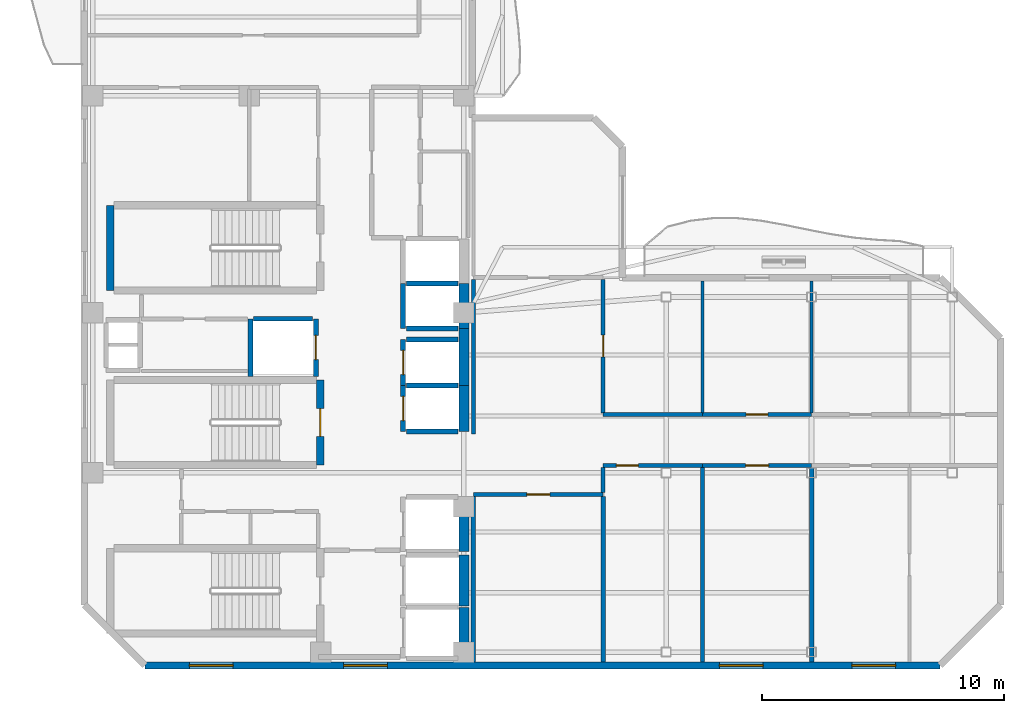
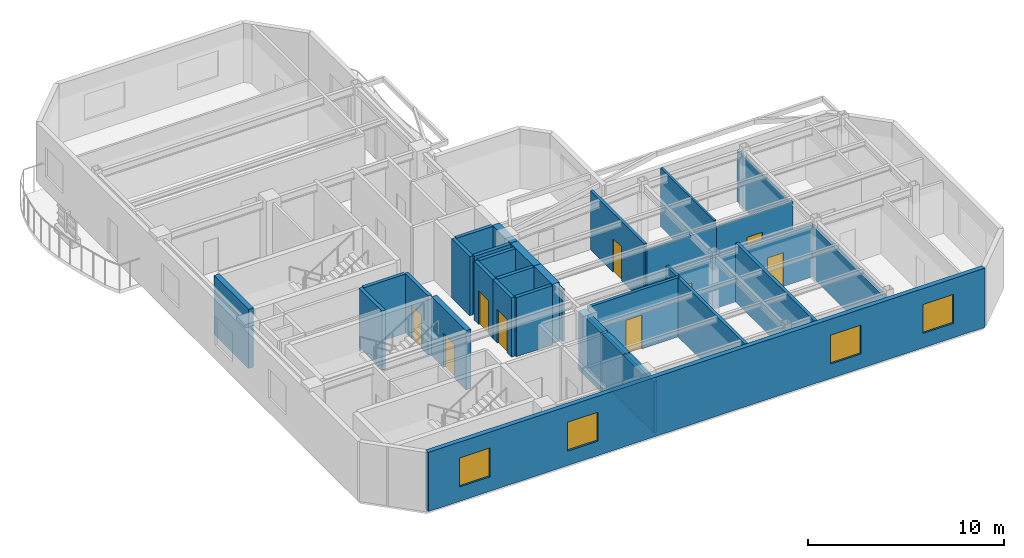
# One storey, part 3 of 8: 34 walls, 9 doors, 4 windows, 13 openings.
"""IFC4 building model written with IfcOpenShell, lengths in metres."""

from ifc_helpers import new_model, si_unit, direction, frame, frame_2d, origin, place, context, subcontext, project, spatial, rectangle, extrude, material, layer, layer_set, type_object, element, fill, save


model = new_model("IFC4")

# Units and contexts
model_context = context("Model", 3, precision=1e-05, world=origin(), true_north=direction((0.0, 1.0)))
body_context = subcontext(model_context, "Body", "Model", "MODEL_VIEW")
ifc_project = project(units=[si_unit("LENGTHUNIT", "METRE"), si_unit("AREAUNIT", "SQUARE_METRE"), si_unit("VOLUMEUNIT", "CUBIC_METRE"), si_unit("PLANEANGLEUNIT", "RADIAN"), si_unit("MASSUNIT", "GRAM", prefix="KILO")], contexts=[model_context])

# Site, building, storey
site_placement = place(None, origin())
site = spatial("IfcSite", under=ifc_project, at=site_placement, CompositionType="ELEMENT")
building_placement = place(site_placement, origin())
building = spatial("IfcBuilding", under=site, at=building_placement, Name="Mawjaban Terraces University", CompositionType="ELEMENT")
storey_placement = place(building_placement, frame((0.0, 0.0, 271.60009765625)))
storey = spatial("IfcBuildingStorey", under=building, at=storey_placement, Name="L66", CompositionType="ELEMENT", Elevation=271.60009765625)

# Wall, opening, door
ifc_material_1 = material(Name="Acoustic masonry blockwork", Category="masonry")
ifc_layer_1 = layer(ifc_material_1, 0.179931640625)
ifc_layer_set_1 = layer_set([ifc_layer_1], Name="Acoustic masonry blockwork")
wall_type_1 = type_object("IfcWallType", Name="AcousticStudioWall_180", PredefinedType="PARTITIONING", material=ifc_layer_set_1)
wall_1_placement = place(storey_placement, frame((38.050048828125, 7.050048828125, 0.0), z_axis=(0.0, 0.0, 1.0), x_axis=(1.0, 0.0, 0.0)))
wall_1 = element("IfcWall", 1, at=wall_1_placement, inside=storey, type_object=wall_type_1, Name="L66 Upper Research Hub Concourse Partition 15", PredefinedType="PARTITIONING", context=body_context, shape_type="SweptSolid", body=[
    extrude(rectangle(XDim=5.349853515625, YDim=0.179931640625, at=frame_2d((2.6748046875, 0.0))), origin(), (0.0, 0.0, 1.0), 3.68994140625),
])
opening_1_placement = place(wall_1_placement, frame((2.199951171875, 0.0, 0.0)))
opening_1 = element("IfcOpeningElement", 2, at=opening_1_placement, cuts=wall_1, Name="Opening ID-095", PredefinedType="OPENING", context=body_context, shape_type="SweptSolid", body=[
    extrude(rectangle(XDim=0.949951171875, YDim=2.10009765625, at=frame_2d((0.47509765625, 1.050048828125))), frame((0.0, 0.099853515625, 0.0), z_axis=(0.0, -1.0, 0.0), x_axis=(1.0, 0.0, 0.0)), (0.0, 0.0, 1.0), 0.199951171875),
])
ifc_material_2 = material(Name="Powder-coated steel frame and solid acoustic timber leaf", Category="steel")
door_type_1 = type_object("IfcDoorType", Name="StudioDoor_950x2100", OperationType="NOTDEFINED", PredefinedType="DOOR", material=ifc_material_2)
door_1_placement = place(opening_1_placement, origin())
door_1 = element("IfcDoor", 3, at=door_1_placement, inside=storey, type_object=door_type_1, Name="L66 Media Workshop 1 Door", OperationType="SINGLE_SWING_LEFT", OverallHeight=2.10009765625, OverallWidth=0.949951171875, PredefinedType="DOOR", context=body_context, shape_type="SweptSolid", body=[
    extrude(rectangle(XDim=0.949951171875, YDim=2.10009765625, at=frame_2d((0.47509765625, 1.050048828125))), frame((0.0, 0.02490234375, 0.0), z_axis=(0.0, -1.0, 0.0), x_axis=(1.0, 0.0, 0.0)), (0.0, 0.0, 1.0), 0.050048828125),
])
fill(opening_1, door_1)

wall_2_placement = place(storey_placement, frame((47.5, 8.25, 0.0), z_axis=(0.0, 0.0, 1.0), x_axis=(1.0, 0.0, 0.0)))
wall_2 = element("IfcWall", 4, at=wall_2_placement, inside=storey, type_object=wall_type_1, Name="L66 Upper East Research Corridor Partition 18", PredefinedType="PARTITIONING", context=body_context, shape_type="SweptSolid", body=[
    extrude(rectangle(XDim=4.5, YDim=0.179931640625, at=frame_2d((2.25, 0.0))), origin(), (0.0, 0.0, 1.0), 3.220947265625),
])
opening_2_placement = place(wall_2_placement, frame((1.77490234375, 0.0, 0.0)))
opening_2 = element("IfcOpeningElement", 5, at=opening_2_placement, cuts=wall_2, Name="Opening ID-095", PredefinedType="OPENING", context=body_context, shape_type="SweptSolid", body=[
    extrude(rectangle(XDim=0.949951171875, YDim=2.10009765625, at=frame_2d((0.47509765625, 1.050048828125))), frame((0.0, 0.099853515625, 0.0), z_axis=(0.0, -1.0, 0.0), x_axis=(1.0, 0.0, 0.0)), (0.0, 0.0, 1.0), 0.199951171875),
])
door_2_placement = place(opening_2_placement, origin())
door_2 = element("IfcDoor", 6, at=door_2_placement, inside=storey, type_object=door_type_1, Name="L66 Media Workshop 4 Door", OperationType="SINGLE_SWING_RIGHT", OverallHeight=2.10009765625, OverallWidth=0.949951171875, PredefinedType="DOOR", context=body_context, shape_type="SweptSolid", body=[
    extrude(rectangle(XDim=0.949951171875, YDim=2.10009765625, at=frame_2d((0.47509765625, 1.050048828125))), frame((0.0, 0.02490234375, 0.0), z_axis=(0.0, -1.0, 0.0), x_axis=(1.0, 0.0, 0.0)), (0.0, 0.0, 1.0), 0.050048828125),
])
fill(opening_2, door_2)

# Walls
wall_3_placement = place(storey_placement, frame((38.050048828125, 6.965087890625, 0.0), z_axis=(0.0, 0.0, 1.0), x_axis=(0.0, -1.0, 0.0)))
element("IfcWall", 7, at=wall_3_placement, inside=storey, type_object=wall_type_1, Name="L66 Media Workshop 1 Partition 38", PredefinedType="PARTITIONING", context=body_context, shape_type="SweptSolid", body=[
    extrude(rectangle(XDim=6.83203125, YDim=0.179931640625, at=frame_2d((3.416015625, 0.0))), origin(), (0.0, 0.0, 1.0), 3.220947265625),
])
wall_4_placement = place(storey_placement, frame((43.39990234375, 0.133056640625, 0.0), z_axis=(0.0, 0.0, 1.0), x_axis=(0.0, 1.0, 0.0)))
element("IfcWall", 8, at=wall_4_placement, inside=storey, type_object=wall_type_1, Name="L66 Media Workshop 1 Partition 41", PredefinedType="PARTITIONING", context=body_context, shape_type="SweptSolid", body=[
    extrude(rectangle(XDim=6.83203125, YDim=0.179931640625, at=frame_2d((3.416015625, 0.0))), origin(), (0.0, 0.0, 1.0), 3.68994140625),
])
wall_5_placement = place(storey_placement, frame((47.5, 0.133056640625, 0.0), z_axis=(0.0, 0.0, 1.0), x_axis=(0.0, 1.0, 0.0)))
element("IfcWall", 9, at=wall_5_placement, inside=storey, type_object=wall_type_1, Name="L66 Quiet Reading Room 2 Partition 44", PredefinedType="PARTITIONING", context=body_context, shape_type="SweptSolid", body=[
    extrude(rectangle(XDim=8.031982421875, YDim=0.179931640625, at=frame_2d((4.01611328125, 0.0))), origin(), (0.0, 0.0, 1.0), 3.68994140625),
])
wall_6_placement = place(storey_placement, frame((52.0, 0.133056640625, 0.0), z_axis=(0.0, 0.0, 1.0), x_axis=(0.0, 1.0, 0.0)))
element("IfcWall", 10, at=wall_6_placement, inside=storey, type_object=wall_type_1, Name="L66 Media Workshop 4 Partition 46", PredefinedType="PARTITIONING", context=body_context, shape_type="SweptSolid", body=[
    extrude(rectangle(XDim=8.031982421875, YDim=0.179931640625, at=frame_2d((4.01611328125, 0.0))), origin(), (0.0, 0.0, 1.0), 3.220947265625),
])
ifc_material_3 = material(Name="Concrete C50/60", Category="concrete")
ifc_layer_2 = layer(ifc_material_3, 0.419921875)
ifc_layer_set_2 = layer_set([ifc_layer_2], Name="Concrete C50/60")
wall_type_2 = type_object("IfcWallType", Name="CoreShearWall_420", PredefinedType="SHEAR", material=ifc_layer_set_2)
wall_7_placement = place(storey_placement, frame((37.659912109375, 0.300048828125, 0.0), z_axis=(0.0, 0.0, 1.0), x_axis=(0.0, 1.0, 0.0)))
element("IfcWall", 11, at=wall_7_placement, inside=storey, type_object=wall_type_2, Name="L66 Lift FL-1 Hoistway Wall East", PredefinedType="SHEAR", context=body_context, shape_type="SweptSolid", body=[
    extrude(rectangle(XDim=2.099853515625, YDim=0.419921875, at=frame_2d((1.0498046875, 0.0))), origin(), (0.0, 0.0, 1.0), 3.68994140625),
])
wall_8_placement = place(storey_placement, frame((37.659912109375, 2.449951171875, 0.0), z_axis=(0.0, 0.0, 1.0), x_axis=(0.0, 1.0, 0.0)))
element("IfcWall", 12, at=wall_8_placement, inside=storey, type_object=wall_type_2, Name="L66 Lift FL-2 Hoistway Wall East", PredefinedType="SHEAR", context=body_context, shape_type="SweptSolid", body=[
    extrude(rectangle(XDim=2.10009765625, YDim=0.419921875, at=frame_2d((1.050048828125, 0.0))), origin(), (0.0, 0.0, 1.0), 3.68994140625),
])
wall_9_placement = place(storey_placement, frame((37.659912109375, 4.699951171875, 0.0), z_axis=(0.0, 0.0, 1.0), x_axis=(0.0, 1.0, 0.0)))
element("IfcWall", 13, at=wall_9_placement, inside=storey, type_object=wall_type_2, Name="L66 Lift SL-1 Hoistway Wall East", PredefinedType="SHEAR", context=body_context, shape_type="SweptSolid", body=[
    extrude(rectangle(XDim=2.25, YDim=0.419921875, at=frame_2d((1.125, 0.0))), origin(), (0.0, 0.0, 1.0), 3.68994140625),
])
wall_10_placement = place(storey_placement, frame((37.659912109375, 9.64990234375, 0.0), z_axis=(0.0, 0.0, 1.0), x_axis=(0.0, 1.0, 0.0)))
element("IfcWall", 14, at=wall_10_placement, inside=storey, type_object=wall_type_2, Name="L66 Lift PL-H1 Hoistway Wall East", PredefinedType="SHEAR", context=body_context, shape_type="SweptSolid", body=[
    extrude(rectangle(XDim=1.900146484375, YDim=0.419921875, at=frame_2d((0.9501953125, 0.0))), origin(), (0.0, 0.0, 1.0), 3.68994140625),
])
wall_11_placement = place(storey_placement, frame((37.659912109375, 11.550048828125, 0.0), z_axis=(0.0, 0.0, 1.0), x_axis=(0.0, 1.0, 0.0)))
element("IfcWall", 15, at=wall_11_placement, inside=storey, type_object=wall_type_2, Name="L66 Lift PL-H2 Hoistway Wall East", PredefinedType="SHEAR", context=body_context, shape_type="SweptSolid", body=[
    extrude(rectangle(XDim=2.349853515625, YDim=0.419921875, at=frame_2d((1.1748046875, 0.0))), origin(), (0.0, 0.0, 1.0), 3.68994140625),
])
wall_12_placement = place(storey_placement, frame((37.659912109375, 13.89990234375, 0.0), z_axis=(0.0, 0.0, 1.0), x_axis=(0.0, 1.0, 0.0)))
element("IfcWall", 16, at=wall_12_placement, inside=storey, type_object=wall_type_2, Name="L66 Lift OL-1 Hoistway Wall East", PredefinedType="SHEAR", context=body_context, shape_type="SweptSolid", body=[
    extrude(rectangle(XDim=1.85009765625, YDim=0.419921875, at=frame_2d((0.925048828125, 0.0))), origin(), (0.0, 0.0, 1.0), 3.68994140625),
])

# Wall, opening, door
ifc_material_4 = material(Name="Fire-rated gypsum board on steel stud", Category="steel")
ifc_layer_3 = layer(ifc_material_4, 0.159912109375)
ifc_layer_set_3 = layer_set([ifc_layer_3], Name="Fire-rated gypsum board on steel stud")
wall_type_3 = type_object("IfcWallType", Name="CorridorPartition_160", PredefinedType="PARTITIONING", material=ifc_layer_set_3)
wall_13_placement = place(storey_placement, frame((43.39990234375, 8.25, 0.0), z_axis=(0.0, 0.0, 1.0), x_axis=(1.0, 0.0, 0.0)))
wall_13 = element("IfcWall", 17, at=wall_13_placement, inside=storey, type_object=wall_type_3, Name="L66 Upper East Research Corridor Partition 16", PredefinedType="PARTITIONING", context=body_context, shape_type="SweptSolid", body=[
    extrude(rectangle(XDim=4.10009765625, YDim=0.159912109375, at=frame_2d((2.050048828125, 0.0))), origin(), (0.0, 0.0, 1.0), 3.220947265625),
])
opening_3_placement = place(wall_13_placement, frame((0.550048828125, 0.0, 0.0)))
opening_3 = element("IfcOpeningElement", 18, at=opening_3_placement, cuts=wall_13, Name="Opening ID-090", PredefinedType="OPENING", context=body_context, shape_type="SweptSolid", body=[
    extrude(rectangle(XDim=0.89990234375, YDim=2.10009765625, at=frame_2d((0.449951171875, 1.050048828125))), frame((0.0, 0.08984375, 0.0), z_axis=(0.0, -1.0, 0.0), x_axis=(1.0, 0.0, 0.0)), (0.0, 0.0, 1.0), 0.179931640625),
])
door_type_2 = type_object("IfcDoorType", Name="OfficeDoor_900x2100", OperationType="NOTDEFINED", PredefinedType="DOOR", material=ifc_material_2)
door_3_placement = place(opening_3_placement, origin())
door_3 = element("IfcDoor", 19, at=door_3_placement, inside=storey, type_object=door_type_2, Name="L66 Quiet Reading Room 2 Door", OperationType="SINGLE_SWING_RIGHT", OverallHeight=2.10009765625, OverallWidth=0.89990234375, PredefinedType="DOOR", context=body_context, shape_type="SweptSolid", body=[
    extrude(rectangle(XDim=0.89990234375, YDim=2.10009765625, at=frame_2d((0.449951171875, 1.050048828125))), frame((0.0, 0.02490234375, 0.0), z_axis=(0.0, -1.0, 0.0), x_axis=(1.0, 0.0, 0.0)), (0.0, 0.0, 1.0), 0.050048828125),
])
fill(opening_3, door_3)

# Wall
wall_14_placement = place(storey_placement, frame((47.5, 10.35009765625, 0.0), z_axis=(0.0, 0.0, 1.0), x_axis=(-1.0, 0.0, 0.0)))
element("IfcWall", 20, at=wall_14_placement, inside=storey, type_object=wall_type_3, Name="L66 Upper East Research Corridor Partition 19", PredefinedType="PARTITIONING", context=body_context, shape_type="SweptSolid", body=[
    extrude(rectangle(XDim=4.10009765625, YDim=0.159912109375, at=frame_2d((2.050048828125, 0.0))), origin(), (0.0, 0.0, 1.0), 3.371826171875),
])

# Wall, opening, door
wall_15_placement = place(storey_placement, frame((52.0, 10.35009765625, 0.0), z_axis=(0.0, 0.0, 1.0), x_axis=(-1.0, 0.0, 0.0)))
wall_15 = element("IfcWall", 21, at=wall_15_placement, inside=storey, type_object=wall_type_3, Name="L66 Upper East Research Corridor Partition 21", PredefinedType="PARTITIONING", context=body_context, shape_type="SweptSolid", body=[
    extrude(rectangle(XDim=4.5, YDim=0.159912109375, at=frame_2d((2.25, 0.0))), origin(), (0.0, 0.0, 1.0), 3.371826171875),
])
opening_4_placement = place(wall_15_placement, frame((1.800048828125, 0.0, 0.0)))
opening_4 = element("IfcOpeningElement", 22, at=opening_4_placement, cuts=wall_15, Name="Opening ID-090", PredefinedType="OPENING", context=body_context, shape_type="SweptSolid", body=[
    extrude(rectangle(XDim=0.89990234375, YDim=2.10009765625, at=frame_2d((0.449951171875, 1.050048828125))), frame((0.0, 0.08984375, 0.0), z_axis=(0.0, -1.0, 0.0), x_axis=(1.0, 0.0, 0.0)), (0.0, 0.0, 1.0), 0.179931640625),
])
door_4_placement = place(opening_4_placement, origin())
door_4 = element("IfcDoor", 23, at=door_4_placement, inside=storey, type_object=door_type_2, Name="L66 Quiet Reading Room 5 Door", OperationType="SINGLE_SWING_LEFT", OverallHeight=2.10009765625, OverallWidth=0.89990234375, PredefinedType="DOOR", context=body_context, shape_type="SweptSolid", body=[
    extrude(rectangle(XDim=0.89990234375, YDim=2.10009765625, at=frame_2d((0.449951171875, 1.050048828125))), frame((0.0, 0.02490234375, 0.0), z_axis=(0.0, -1.0, 0.0), x_axis=(1.0, 0.0, 0.0)), (0.0, 0.0, 1.0), 0.050048828125),
])
fill(opening_4, door_4)

# Walls
wall_16_placement = place(storey_placement, frame((38.050048828125, 15.925048828125, 0.0), z_axis=(0.0, 0.0, 1.0), x_axis=(0.0, -1.0, 0.0)))
element("IfcWall", 24, at=wall_16_placement, inside=storey, type_object=wall_type_3, Name="L66 Upper Research Hub Concourse Partition 39", PredefinedType="PARTITIONING", context=body_context, shape_type="SweptSolid", body=[
    extrude(rectangle(XDim=6.375, YDim=0.159912109375, at=frame_2d((3.1875, 0.0))), origin(), (0.0, 0.0, 1.0), 3.220947265625),
])
wall_17_placement = place(storey_placement, frame((43.39990234375, 7.135009765625, 0.0), z_axis=(0.0, 0.0, 1.0), x_axis=(0.0, 1.0, 0.0)))
element("IfcWall", 25, at=wall_17_placement, inside=storey, type_object=wall_type_3, Name="L66 Upper Research Hub Concourse Partition 42", PredefinedType="PARTITIONING", context=body_context, shape_type="SweptSolid", body=[
    extrude(rectangle(XDim=1.0400390625, YDim=0.159912109375, at=frame_2d((0.52001953125, 0.0))), origin(), (0.0, 0.0, 1.0), 3.68994140625),
])

# Wall, opening, door
wall_18_placement = place(storey_placement, frame((43.39990234375, 10.425048828125, 0.0), z_axis=(0.0, 0.0, 1.0), x_axis=(0.0, 1.0, 0.0)))
wall_18 = element("IfcWall", 26, at=wall_18_placement, inside=storey, type_object=wall_type_3, Name="L66 Upper Research Hub Concourse Partition 43", PredefinedType="PARTITIONING", context=body_context, shape_type="SweptSolid", body=[
    extrude(rectangle(XDim=5.5, YDim=0.159912109375, at=frame_2d((2.75, 0.0))), origin(), (0.0, 0.0, 1.0), 3.68994140625),
])
opening_5_placement = place(wall_18_placement, frame((2.300048828125, 0.0, 0.0)))
opening_5 = element("IfcOpeningElement", 27, at=opening_5_placement, cuts=wall_18, Name="Opening ID-090", PredefinedType="OPENING", context=body_context, shape_type="SweptSolid", body=[
    extrude(rectangle(XDim=0.89990234375, YDim=2.10009765625, at=frame_2d((0.449951171875, 1.050048828125))), frame((0.0, 0.08984375, 0.0), z_axis=(0.0, -1.0, 0.0), x_axis=(1.0, 0.0, 0.0)), (0.0, 0.0, 1.0), 0.179931640625),
])
door_5_placement = place(opening_5_placement, origin())
door_5 = element("IfcDoor", 28, at=door_5_placement, inside=storey, type_object=door_type_2, Name="L66 Reading Salon 3 Door", OperationType="SINGLE_SWING_LEFT", OverallHeight=2.10009765625, OverallWidth=0.89990234375, PredefinedType="DOOR", context=body_context, shape_type="SweptSolid", body=[
    extrude(rectangle(XDim=0.89990234375, YDim=2.10009765625, at=frame_2d((0.449951171875, 1.050048828125))), frame((0.0, 0.02490234375, 0.0), z_axis=(0.0, -1.0, 0.0), x_axis=(1.0, 0.0, 0.0)), (0.0, 0.0, 1.0), 0.050048828125),
])
fill(opening_5, door_5)

# Wall, openings, windows
ifc_material_5 = material(Name="Insulated terracotta rainscreen on concrete backup C40/50", Category="masonry")
ifc_layer_4 = layer(ifc_material_5, 0.27490234375)
ifc_layer_set_4 = layer_set([ifc_layer_4], Name="Insulated terracotta rainscreen on concrete backup C40/50")
wall_type_4 = type_object("IfcWallType", Name="ExtTerracottaWall_275", PredefinedType="SOLIDWALL", material=ifc_layer_set_4)
wall_19_placement = place(storey_placement, frame((24.5, 0.0, 0.0), z_axis=(0.0, 0.0, 1.0), x_axis=(1.0, 0.0, 0.0)))
wall_19 = element("IfcWall", 29, at=wall_19_placement, inside=storey, type_object=wall_type_4, Name="L66 Exterior Terracotta Wall 1", PredefinedType="SOLIDWALL", context=body_context, shape_type="SweptSolid", body=[
    extrude(rectangle(XDim=32.800048828125, YDim=0.27490234375, at=frame_2d((16.39990234375, 0.0))), origin(), (0.0, 0.0, 1.0), 3.68994140625),
])
opening_6_placement = place(wall_19_placement, frame((1.8330078125, 0.0, 0.89990234375)))
opening_6 = element("IfcOpeningElement", 30, at=opening_6_placement, cuts=wall_19, Name="Opening W-07", PredefinedType="OPENING", context=body_context, shape_type="SweptSolid", body=[
    extrude(rectangle(XDim=1.800048828125, YDim=1.800048828125, at=frame_2d((0.89990234375, 0.89990234375))), frame((0.0, 0.1474609375, 0.0), z_axis=(0.0, -1.0, 0.0), x_axis=(1.0, 0.0, 0.0)), (0.0, 0.0, 1.0), 0.294921875),
])
opening_7_placement = place(wall_19_placement, frame((8.199951171875, 0.0, 0.89990234375)))
opening_7 = element("IfcOpeningElement", 31, at=opening_7_placement, cuts=wall_19, Name="Opening W-07", PredefinedType="OPENING", context=body_context, shape_type="SweptSolid", body=[
    extrude(rectangle(XDim=1.800048828125, YDim=1.800048828125, at=frame_2d((0.89990234375, 0.89990234375))), frame((0.0, 0.1474609375, 0.0), z_axis=(0.0, -1.0, 0.0), x_axis=(1.0, 0.0, 0.0)), (0.0, 0.0, 1.0), 0.294921875),
])
opening_8_placement = place(wall_19_placement, frame((23.699951171875, 0.0, 0.89990234375)))
opening_8 = element("IfcOpeningElement", 32, at=opening_8_placement, cuts=wall_19, Name="Opening W-07", PredefinedType="OPENING", context=body_context, shape_type="SweptSolid", body=[
    extrude(rectangle(XDim=1.800048828125, YDim=1.800048828125, at=frame_2d((0.89990234375, 0.89990234375))), frame((0.0, 0.1474609375, 0.0), z_axis=(0.0, -1.0, 0.0), x_axis=(1.0, 0.0, 0.0)), (0.0, 0.0, 1.0), 0.294921875),
])
opening_9_placement = place(wall_19_placement, frame((29.1669921875, 0.0, 0.89990234375)))
opening_9 = element("IfcOpeningElement", 33, at=opening_9_placement, cuts=wall_19, Name="Opening W-07", PredefinedType="OPENING", context=body_context, shape_type="SweptSolid", body=[
    extrude(rectangle(XDim=1.800048828125, YDim=1.800048828125, at=frame_2d((0.89990234375, 0.89990234375))), frame((0.0, 0.1474609375, 0.0), z_axis=(0.0, -1.0, 0.0), x_axis=(1.0, 0.0, 0.0)), (0.0, 0.0, 1.0), 0.294921875),
])
ifc_material_6 = material(Name="Low-E solar-control double glazing in thermally broken aluminium frame", Category="aluminium")
window_type = type_object("IfcWindowType", Name="Win_1800x1800", PartitioningType="SINGLE_PANEL", PredefinedType="WINDOW", material=ifc_material_6)
window_1_placement = place(opening_6_placement, origin())
window_1 = element("IfcWindow", 34, at=window_1_placement, inside=storey, type_object=window_type, Name="L66 Facade Window 1.1", OverallHeight=1.800048828125, OverallWidth=1.800048828125, PartitioningType="SINGLE_PANEL", PredefinedType="WINDOW", context=body_context, shape_type="SweptSolid", body=[
    extrude(rectangle(XDim=1.800048828125, YDim=1.800048828125, at=frame_2d((0.89990234375, 0.89990234375))), frame((0.0, 0.030029296875, 0.0), z_axis=(0.0, -1.0, 0.0), x_axis=(1.0, 0.0, 0.0)), (0.0, 0.0, 1.0), 0.06005859375),
])
fill(opening_6, window_1)
window_2_placement = place(opening_7_placement, origin())
window_2 = element("IfcWindow", 35, at=window_2_placement, inside=storey, type_object=window_type, Name="L66 Facade Window 1.2", OverallHeight=1.800048828125, OverallWidth=1.800048828125, PartitioningType="SINGLE_PANEL", PredefinedType="WINDOW", context=body_context, shape_type="SweptSolid", body=[
    extrude(rectangle(XDim=1.800048828125, YDim=1.800048828125, at=frame_2d((0.89990234375, 0.89990234375))), frame((0.0, 0.030029296875, 0.0), z_axis=(0.0, -1.0, 0.0), x_axis=(1.0, 0.0, 0.0)), (0.0, 0.0, 1.0), 0.06005859375),
])
fill(opening_7, window_2)
window_3_placement = place(opening_8_placement, origin())
window_3 = element("IfcWindow", 36, at=window_3_placement, inside=storey, type_object=window_type, Name="L66 Facade Window 1.5", OverallHeight=1.800048828125, OverallWidth=1.800048828125, PartitioningType="SINGLE_PANEL", PredefinedType="WINDOW", context=body_context, shape_type="SweptSolid", body=[
    extrude(rectangle(XDim=1.800048828125, YDim=1.800048828125, at=frame_2d((0.89990234375, 0.89990234375))), frame((0.0, 0.030029296875, 0.0), z_axis=(0.0, -1.0, 0.0), x_axis=(1.0, 0.0, 0.0)), (0.0, 0.0, 1.0), 0.06005859375),
])
fill(opening_8, window_3)
window_4_placement = place(opening_9_placement, origin())
window_4 = element("IfcWindow", 37, at=window_4_placement, inside=storey, type_object=window_type, Name="L66 Facade Window 1.6", OverallHeight=1.800048828125, OverallWidth=1.800048828125, PartitioningType="SINGLE_PANEL", PredefinedType="WINDOW", context=body_context, shape_type="SweptSolid", body=[
    extrude(rectangle(XDim=1.800048828125, YDim=1.800048828125, at=frame_2d((0.89990234375, 0.89990234375))), frame((0.0, 0.030029296875, 0.0), z_axis=(0.0, -1.0, 0.0), x_axis=(1.0, 0.0, 0.0)), (0.0, 0.0, 1.0), 0.06005859375),
])
fill(opening_9, window_4)

# Wall, opening, door
ifc_material_7 = material(Name="Concrete C40/50", Category="concrete")
ifc_layer_5 = layer(ifc_material_7, 0.199951171875)
ifc_layer_set_5 = layer_set([ifc_layer_5], Name="Concrete C40/50")
wall_type_5 = type_object("IfcWallType", Name="FireLobbyWall_200", PredefinedType="SOLIDWALL", material=ifc_layer_set_5)
wall_20_placement = place(storey_placement, frame((35.14990234375, 11.550048828125, 0.0), z_axis=(0.0, 0.0, 1.0), x_axis=(0.0, -1.0, 0.0)))
wall_20 = element("IfcWall", 38, at=wall_20_placement, inside=storey, type_object=wall_type_5, Name="L66 Lift PL-H1 Hoistway Wall West", PredefinedType="SOLIDWALL", context=body_context, shape_type="SweptSolid", body=[
    extrude(rectangle(XDim=1.900146484375, YDim=0.199951171875, at=frame_2d((0.9501953125, 0.0))), origin(), (0.0, 0.0, 1.0), 3.68994140625),
])
opening_10_placement = place(wall_20_placement, frame((0.449951171875, 0.0, 0.0)))
opening_10 = element("IfcOpeningElement", 39, at=opening_10_placement, cuts=wall_20, Name="Opening LD-PL-H1", PredefinedType="OPENING", context=body_context, shape_type="SweptSolid", body=[
    extrude(rectangle(XDim=1.0, YDim=2.10009765625, at=frame_2d((0.5, 1.050048828125))), frame((0.0, 0.10986328125, 0.0), z_axis=(0.0, -1.0, 0.0), x_axis=(1.0, 0.0, 0.0)), (0.0, 0.0, 1.0), 0.219970703125),
])
ifc_material_8 = material(Name="Powder-coated steel frame and fire-rated steel-faced leaf", Category="steel")
door_type_3 = type_object("IfcDoorType", Name="LiftLandingSliding_1000x2100", OperationType="NOTDEFINED", PredefinedType="DOOR", material=ifc_material_8)
door_6_placement = place(opening_10_placement, origin())
door_6 = element("IfcDoor", 40, at=door_6_placement, inside=storey, type_object=door_type_3, Name="L66 Lift PL-H1 Sliding Landing Door", OperationType="DOUBLE_DOOR_SLIDING", OverallHeight=2.10009765625, OverallWidth=1.0, PredefinedType="DOOR", context=body_context, shape_type="SweptSolid", body=[
    extrude(rectangle(XDim=1.0, YDim=2.10009765625, at=frame_2d((0.5, 1.050048828125))), frame((0.0, 0.02490234375, 0.0), z_axis=(0.0, -1.0, 0.0), x_axis=(1.0, 0.0, 0.0)), (0.0, 0.0, 1.0), 0.050048828125),
])
fill(opening_10, door_6)

# Walls
for number, where, z_axis, x_axis, name in (
    (41, (35.280029296875, 9.64990234375, 0.0), (0.0, 0.0, 1.0), (1.0, 0.0, 0.0), "L66 Lift PL-H1 Hoistway Wall South"),
    (42, (37.419921875, 11.550048828125, 0.0), (0.0, 0.0, 1.0), (-1.0, 0.0, 0.0), "L66 Lift PL-H1 Hoistway Wall North"),
):
    element("IfcWall", number, at=place(storey_placement, frame(where, z_axis=z_axis, x_axis=x_axis)), inside=storey, type_object=wall_type_5, Name=name, PredefinedType="SOLIDWALL", context=body_context, shape_type="SweptSolid", body=[
        extrude(rectangle(XDim=2.139892578125, YDim=0.199951171875, at=frame_2d((1.06982421875, 0.0))), origin(), (0.0, 0.0, 1.0), 3.68994140625),
    ])

# Wall, opening, door
wall_21_placement = place(storey_placement, frame((35.14990234375, 13.449951171875, 0.0), z_axis=(0.0, 0.0, 1.0), x_axis=(0.0, -1.0, 0.0)))
wall_21 = element("IfcWall", 43, at=wall_21_placement, inside=storey, type_object=wall_type_5, Name="L66 Lift PL-H2 Hoistway Wall West", PredefinedType="SOLIDWALL", context=body_context, shape_type="SweptSolid", body=[
    extrude(rectangle(XDim=1.89990234375, YDim=0.199951171875, at=frame_2d((0.949951171875, 0.0))), origin(), (0.0, 0.0, 1.0), 3.68994140625),
])
opening_11_placement = place(wall_21_placement, frame((0.449951171875, 0.0, 0.0)))
opening_11 = element("IfcOpeningElement", 44, at=opening_11_placement, cuts=wall_21, Name="Opening LD-PL-H2", PredefinedType="OPENING", context=body_context, shape_type="SweptSolid", body=[
    extrude(rectangle(XDim=1.0, YDim=2.10009765625, at=frame_2d((0.5, 1.050048828125))), frame((0.0, 0.10986328125, 0.0), z_axis=(0.0, -1.0, 0.0), x_axis=(1.0, 0.0, 0.0)), (0.0, 0.0, 1.0), 0.219970703125),
])
door_7_placement = place(opening_11_placement, origin())
door_7 = element("IfcDoor", 45, at=door_7_placement, inside=storey, type_object=door_type_3, Name="L66 Lift PL-H2 Sliding Landing Door", OperationType="DOUBLE_DOOR_SLIDING", OverallHeight=2.10009765625, OverallWidth=1.0, PredefinedType="DOOR", context=body_context, shape_type="SweptSolid", body=[
    extrude(rectangle(XDim=1.0, YDim=2.10009765625, at=frame_2d((0.5, 1.050048828125))), frame((0.0, 0.02490234375, 0.0), z_axis=(0.0, -1.0, 0.0), x_axis=(1.0, 0.0, 0.0)), (0.0, 0.0, 1.0), 0.050048828125),
])
fill(opening_11, door_7)

# Walls
wall_22_placement = place(storey_placement, frame((37.419921875, 13.449951171875, 0.0), z_axis=(0.0, 0.0, 1.0), x_axis=(-1.0, 0.0, 0.0)))
element("IfcWall", 46, at=wall_22_placement, inside=storey, type_object=wall_type_5, Name="L66 Lift PL-H2 Hoistway Wall North", PredefinedType="SOLIDWALL", context=body_context, shape_type="SweptSolid", body=[
    extrude(rectangle(XDim=2.139892578125, YDim=0.199951171875, at=frame_2d((1.06982421875, 0.0))), origin(), (0.0, 0.0, 1.0), 3.68994140625),
])
wall_23_placement = place(storey_placement, frame((28.85009765625, 14.300048828125, 0.0), z_axis=(0.0, 0.0, 1.0), x_axis=(0.0, -1.0, 0.0)))
element("IfcWall", 47, at=wall_23_placement, inside=storey, type_object=wall_type_5, Name="L66 Lift PL-H3 Hoistway Wall West", PredefinedType="SOLIDWALL", context=body_context, shape_type="SweptSolid", body=[
    extrude(rectangle(XDim=2.3701171875, YDim=0.199951171875, at=frame_2d((1.18505859375, 0.0))), origin(), (0.0, 0.0, 1.0), 3.68994140625),
])

# Wall, opening, door
wall_24_placement = place(storey_placement, frame((31.550048828125, 11.929931640625, 0.0), z_axis=(0.0, 0.0, 1.0), x_axis=(0.0, 1.0, 0.0)))
wall_24 = element("IfcWall", 48, at=wall_24_placement, inside=storey, type_object=wall_type_5, Name="L66 Lift PL-H3 Hoistway Wall East", PredefinedType="SOLIDWALL", context=body_context, shape_type="SweptSolid", body=[
    extrude(rectangle(XDim=2.3701171875, YDim=0.199951171875, at=frame_2d((1.18505859375, 0.0))), origin(), (0.0, 0.0, 1.0), 3.68994140625),
])
opening_12_placement = place(wall_24_placement, frame((0.68505859375, 0.0, 0.0)))
opening_12 = element("IfcOpeningElement", 49, at=opening_12_placement, cuts=wall_24, Name="Opening LD-PL-H3", PredefinedType="OPENING", context=body_context, shape_type="SweptSolid", body=[
    extrude(rectangle(XDim=1.0, YDim=2.10009765625, at=frame_2d((0.5, 1.050048828125))), frame((0.0, 0.10986328125, 0.0), z_axis=(0.0, -1.0, 0.0), x_axis=(1.0, 0.0, 0.0)), (0.0, 0.0, 1.0), 0.219970703125),
])
door_8_placement = place(opening_12_placement, origin())
door_8 = element("IfcDoor", 50, at=door_8_placement, inside=storey, type_object=door_type_3, Name="L66 Lift PL-H3 Sliding Landing Door", OperationType="DOUBLE_DOOR_SLIDING", OverallHeight=2.10009765625, OverallWidth=1.0, PredefinedType="DOOR", context=body_context, shape_type="SweptSolid", body=[
    extrude(rectangle(XDim=1.0, YDim=2.10009765625, at=frame_2d((0.5, 1.050048828125))), frame((0.0, 0.02490234375, 0.0), z_axis=(0.0, -1.0, 0.0), x_axis=(1.0, 0.0, 0.0)), (0.0, 0.0, 1.0), 0.050048828125),
])
fill(opening_12, door_8)

# Walls
wall_25_placement = place(storey_placement, frame((31.419921875, 14.300048828125, 0.0), z_axis=(0.0, 0.0, 1.0), x_axis=(-1.0, 0.0, 0.0)))
element("IfcWall", 51, at=wall_25_placement, inside=storey, type_object=wall_type_5, Name="L66 Lift PL-H3 Hoistway Wall North", PredefinedType="SOLIDWALL", context=body_context, shape_type="SweptSolid", body=[
    extrude(rectangle(XDim=2.43994140625, YDim=0.199951171875, at=frame_2d((1.219970703125, 0.0))), origin(), (0.0, 0.0, 1.0), 3.68994140625),
])
wall_26_placement = place(storey_placement, frame((35.14990234375, 15.75, 0.0), z_axis=(0.0, 0.0, 1.0), x_axis=(0.0, -1.0, 0.0)))
element("IfcWall", 52, at=wall_26_placement, inside=storey, type_object=wall_type_5, Name="L66 Lift OL-1 Hoistway Wall West", PredefinedType="SOLIDWALL", context=body_context, shape_type="SweptSolid", body=[
    extrude(rectangle(XDim=1.85009765625, YDim=0.199951171875, at=frame_2d((0.925048828125, 0.0))), origin(), (0.0, 0.0, 1.0), 3.68994140625),
])
for number, where, z_axis, x_axis, name in (
    (53, (35.280029296875, 13.89990234375, 0.0), (0.0, 0.0, 1.0), (1.0, 0.0, 0.0), "L66 Lift OL-1 Hoistway Wall South"),
    (54, (37.419921875, 15.75, 0.0), (0.0, 0.0, 1.0), (-1.0, 0.0, 0.0), "L66 Lift OL-1 Hoistway Wall North"),
):
    element("IfcWall", number, at=place(storey_placement, frame(where, z_axis=z_axis, x_axis=x_axis)), inside=storey, type_object=wall_type_5, Name=name, PredefinedType="SOLIDWALL", context=body_context, shape_type="SweptSolid", body=[
        extrude(rectangle(XDim=2.139892578125, YDim=0.199951171875, at=frame_2d((1.06982421875, 0.0))), origin(), (0.0, 0.0, 1.0), 3.68994140625),
    ])
ifc_material_9 = material(Name="Gypsum plasterboard on steel stud", Category="steel")
ifc_layer_6 = layer(ifc_material_9, 0.125)
ifc_layer_set_6 = layer_set([ifc_layer_6], Name="Gypsum plasterboard on steel stud")
wall_type_6 = type_object("IfcWallType", Name="OfficePartition_125", PredefinedType="PARTITIONING", material=ifc_layer_set_6)
wall_27_placement = place(storey_placement, frame((47.5, 10.425048828125, 0.0), z_axis=(0.0, 0.0, 1.0), x_axis=(0.0, 1.0, 0.0)))
element("IfcWall", 55, at=wall_27_placement, inside=storey, type_object=wall_type_6, Name="L66 Reading Salon 3 Partition 45", PredefinedType="PARTITIONING", context=body_context, shape_type="SweptSolid", body=[
    extrude(rectangle(XDim=5.44189453125, YDim=0.125, at=frame_2d((2.720947265625, 0.0))), origin(), (0.0, 0.0, 1.0), 3.68994140625),
])
wall_28_placement = place(storey_placement, frame((52.0, 10.425048828125, 0.0), z_axis=(0.0, 0.0, 1.0), x_axis=(0.0, 1.0, 0.0)))
element("IfcWall", 56, at=wall_28_placement, inside=storey, type_object=wall_type_6, Name="L66 Quiet Reading Room 5 Partition 47", PredefinedType="PARTITIONING", context=body_context, shape_type="SweptSolid", body=[
    extrude(rectangle(XDim=5.44189453125, YDim=0.125, at=frame_2d((2.720947265625, 0.0))), origin(), (0.0, 0.0, 1.0), 3.220947265625),
])
ifc_material_10 = material(Name="Concrete C60/75", Category="concrete")
ifc_layer_7 = layer(ifc_material_10, 0.300048828125)
ifc_layer_set_7 = layer_set([ifc_layer_7], Name="Concrete C60/75")
wall_type_7 = type_object("IfcWallType", Name="StairShaftWall_300", PredefinedType="SHEAR", material=ifc_layer_set_7)
wall_29_placement = place(storey_placement, frame((23.070068359375, 18.97998046875, 0.0), z_axis=(0.0, 0.0, 1.0), x_axis=(0.0, -1.0, 0.0)))
element("IfcWall", 57, at=wall_29_placement, inside=storey, type_object=wall_type_7, Name="L66 ST-2 Stair Shaft Wall 2", PredefinedType="SHEAR", context=body_context, shape_type="SweptSolid", body=[
    extrude(rectangle(XDim=3.510009765625, YDim=0.300048828125, at=frame_2d((1.7548828125, 0.0))), origin(), (0.0, 0.0, 1.0), 3.68994140625),
])

# Wall, opening, door
wall_30_placement = place(storey_placement, frame((31.72998046875, 8.27001953125, 0.0), z_axis=(0.0, 0.0, 1.0), x_axis=(0.0, 1.0, 0.0)))
wall_30 = element("IfcWall", 58, at=wall_30_placement, inside=storey, type_object=wall_type_7, Name="L66 ST-3 Stair Shaft Wall 4", PredefinedType="SHEAR", context=body_context, shape_type="SweptSolid", body=[
    extrude(rectangle(XDim=3.510009765625, YDim=0.300048828125, at=frame_2d((1.7548828125, 0.0))), origin(), (0.0, 0.0, 1.0), 3.68994140625),
])
opening_13_placement = place(wall_30_placement, frame((1.179931640625, 0.0, 0.0)))
opening_13 = element("IfcOpeningElement", 59, at=opening_13_placement, cuts=wall_30, Name="Opening FD-115", PredefinedType="OPENING", context=body_context, shape_type="SweptSolid", body=[
    extrude(rectangle(XDim=1.14990234375, YDim=2.14990234375, at=frame_2d((0.574951171875, 1.074951171875))), frame((0.0, 0.159912109375, 0.0), z_axis=(0.0, -1.0, 0.0), x_axis=(1.0, 0.0, 0.0)), (0.0, 0.0, 1.0), 0.320068359375),
])
door_type_4 = type_object("IfcDoorType", Name="FireStairDoor_1150x2150", OperationType="NOTDEFINED", PredefinedType="DOOR", material=ifc_material_8)
door_9_placement = place(opening_13_placement, origin())
door_9 = element("IfcDoor", 60, at=door_9_placement, inside=storey, type_object=door_type_4, Name="L66 ST-3 Pressurised Stair Fire Door", OperationType="SINGLE_SWING_RIGHT", OverallHeight=2.14990234375, OverallWidth=1.14990234375, PredefinedType="DOOR", context=body_context, shape_type="SweptSolid", body=[
    extrude(rectangle(XDim=1.14990234375, YDim=2.14990234375, at=frame_2d((0.574951171875, 1.074951171875))), frame((0.0, 0.02490234375, 0.0), z_axis=(0.0, -1.0, 0.0), x_axis=(1.0, 0.0, 0.0)), (0.0, 0.0, 1.0), 0.050048828125),
])
fill(opening_13, door_9)

save(model, "model.ifc")
